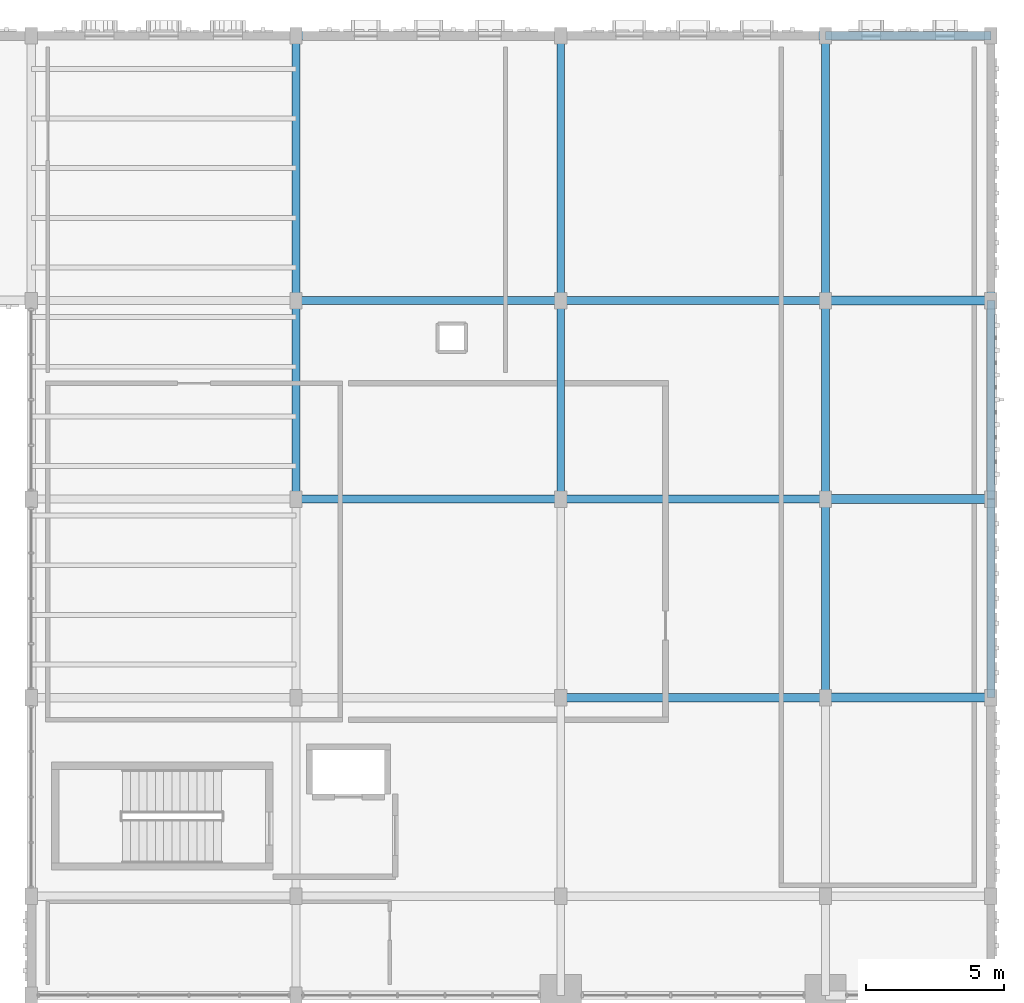
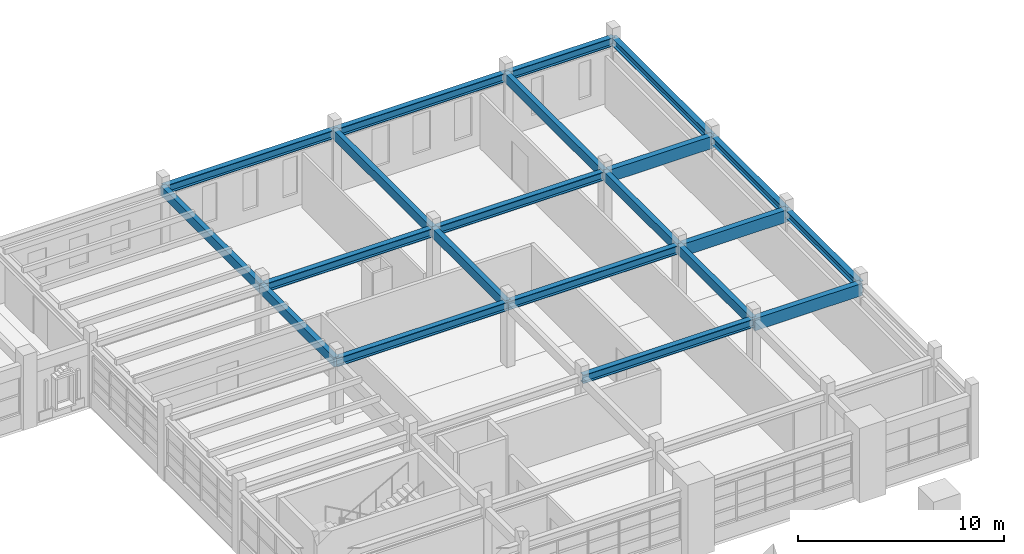
# One storey, part 31 of 69: 21 beams.
"""IFC4 building model written with IfcOpenShell, lengths in metres."""

from ifc_helpers import new_model, si_unit, direction, frame, origin, origin_2d, place, context, subcontext, project, spatial, rectangle, i_section, extrude, material, material_profile, profile_set, type_object, element, save


model = new_model("IFC4")

# Units and contexts
model_context = context("Model", 3, precision=1e-05, world=origin(), true_north=direction((0.0, 1.0)))
body_context = subcontext(model_context, "Body", "Model", "MODEL_VIEW")
ifc_project = project(units=[si_unit("LENGTHUNIT", "METRE"), si_unit("AREAUNIT", "SQUARE_METRE"), si_unit("VOLUMEUNIT", "CUBIC_METRE"), si_unit("PLANEANGLEUNIT", "RADIAN"), si_unit("MASSUNIT", "GRAM", prefix="KILO")], contexts=[model_context])

# Site, building, storey
site_placement = place(None, origin())
site = spatial("IfcSite", under=ifc_project, at=site_placement, CompositionType="ELEMENT")
building_placement = place(site_placement, origin())
building = spatial("IfcBuilding", under=site, at=building_placement, Name="Nzembalo Square Collegiate School", CompositionType="ELEMENT")
storey_placement = place(building_placement, frame((0.0, 0.0, 5.10009765625)))
storey = spatial("IfcBuildingStorey", under=building, at=storey_placement, Name="L01", CompositionType="ELEMENT", Elevation=5.10009765625)

# Beams
ifc_material_1 = material(Name="Glulam GL32h", Category="wood")
ifc_material_profile_1 = material_profile(ifc_material_1, rectangle(XDim=0.320068359375, YDim=0.719970703125, at=origin_2d()), Name="GL32h 320x720")
ifc_profile_set_1 = profile_set([ifc_material_profile_1], Name="Glulam GL32h")
beam_type_1 = type_object("IfcBeamType", Name="B03", PredefinedType="BEAM", material=ifc_profile_set_1)
for number, where, z_axis, x_axis, name in (
    (1, (159.60009765625, 90.0, 3.389892578125), (1.0, 0.0, 0.0), (0.0, 1.0, 0.0), "Beam B03 L01"),
    (2, (159.60009765625, 97.199951171875, 3.389892578125), (1.0, 0.0, 0.0), (0.0, 1.0, 0.0), "Beam B03 L01"),
    (3, (159.60009765625, 104.39990234375, 3.389892578125), (1.0, 0.0, 0.0), (0.0, 1.0, 0.0), "Beam B03 L01"),
):
    element("IfcBeam", number, at=place(storey_placement, frame(where, z_axis=z_axis, x_axis=x_axis)), inside=storey, type_object=beam_type_1, Name=name, PredefinedType="BEAM", context=body_context, shape_type="SweptSolid", body=[
        extrude(rectangle(XDim=0.320068359375, YDim=0.719970703125, at=origin_2d()), origin(), (0.0, 0.0, 1.0), 6.0),
    ])
ifc_material_2 = material(Name="Glulam GL28h", Category="wood")
ifc_material_profile_2 = material_profile(ifc_material_2, rectangle(XDim=0.280029296875, YDim=0.56005859375, at=origin_2d()), Name="GL28h 280x560")
ifc_profile_set_2 = profile_set([ifc_material_profile_2], Name="Glulam GL28h")
beam_type_2 = type_object("IfcBeamType", Name="B05", PredefinedType="BEAM", material=ifc_profile_set_2)
beam_1_placement = place(storey_placement, frame((140.39990234375, 97.199951171875, 3.469970703125), z_axis=(0.0, 1.0, 0.0), x_axis=(-1.0, 0.0, 0.0)))
element("IfcBeam", 4, at=beam_1_placement, inside=storey, type_object=beam_type_2, Name="Beam B05 L01", PredefinedType="BEAM", context=body_context, shape_type="SweptSolid", body=[
    extrude(rectangle(XDim=0.280029296875, YDim=0.56005859375, at=origin_2d()), origin(), (0.0, 0.0, 1.0), 7.199951171875),
])
beam_2_placement = place(storey_placement, frame((140.39990234375, 104.39990234375, 3.469970703125), z_axis=(0.0, 1.0, 0.0), x_axis=(-1.0, 0.0, 0.0)))
element("IfcBeam", 5, at=beam_2_placement, inside=storey, type_object=beam_type_2, Name="Beam B05 L01", PredefinedType="BEAM", context=body_context, shape_type="SweptSolid", body=[
    extrude(rectangle(XDim=0.280029296875, YDim=0.56005859375, at=origin_2d()), origin(), (0.0, 0.0, 1.0), 9.60009765625),
])
beam_3_placement = place(storey_placement, frame((150.0, 97.199951171875, 3.469970703125), z_axis=(0.0, 1.0, 0.0), x_axis=(-1.0, 0.0, 0.0)))
element("IfcBeam", 6, at=beam_3_placement, inside=storey, type_object=beam_type_2, Name="Beam B05 L01", PredefinedType="BEAM", context=body_context, shape_type="SweptSolid", body=[
    extrude(rectangle(XDim=0.280029296875, YDim=0.56005859375, at=origin_2d()), origin(), (0.0, 0.0, 1.0), 7.199951171875),
])
beam_4_placement = place(storey_placement, frame((150.0, 104.39990234375, 3.469970703125), z_axis=(0.0, 1.0, 0.0), x_axis=(-1.0, 0.0, 0.0)))
element("IfcBeam", 7, at=beam_4_placement, inside=storey, type_object=beam_type_2, Name="Beam B05 L01", PredefinedType="BEAM", context=body_context, shape_type="SweptSolid", body=[
    extrude(rectangle(XDim=0.280029296875, YDim=0.56005859375, at=origin_2d()), origin(), (0.0, 0.0, 1.0), 9.60009765625),
])
for number, where, z_axis, x_axis, name in (
    (8, (159.60009765625, 90.0, 3.469970703125), (0.0, 1.0, 0.0), (-1.0, 0.0, 0.0), "Beam B05 L01"),
    (9, (159.60009765625, 97.199951171875, 3.469970703125), (0.0, 1.0, 0.0), (-1.0, 0.0, 0.0), "Beam B05 L01"),
):
    element("IfcBeam", number, at=place(storey_placement, frame(where, z_axis=z_axis, x_axis=x_axis)), inside=storey, type_object=beam_type_2, Name=name, PredefinedType="BEAM", context=body_context, shape_type="SweptSolid", body=[
        extrude(rectangle(XDim=0.280029296875, YDim=0.56005859375, at=origin_2d()), origin(), (0.0, 0.0, 1.0), 7.199951171875),
    ])
beam_5_placement = place(storey_placement, frame((159.60009765625, 104.39990234375, 3.469970703125), z_axis=(0.0, 1.0, 0.0), x_axis=(-1.0, 0.0, 0.0)))
element("IfcBeam", 10, at=beam_5_placement, inside=storey, type_object=beam_type_2, Name="Beam B05 L01", PredefinedType="BEAM", context=body_context, shape_type="SweptSolid", body=[
    extrude(rectangle(XDim=0.280029296875, YDim=0.56005859375, at=origin_2d()), origin(), (0.0, 0.0, 1.0), 9.60009765625),
])
ifc_material_3 = material(Name="Steel S355", Category="steel")
ifc_material_profile_3 = material_profile(ifc_material_3, i_section(OverallWidth=0.300048828125, OverallDepth=0.5, WebThickness=0.014404296875, FlangeThickness=0.028076171875, at=origin_2d()), Name="HEB 500")
ifc_profile_set_3 = profile_set([ifc_material_profile_3], Name="Steel S355")
beam_type_3 = type_object("IfcBeamType", Name="B07", PredefinedType="BEAM", material=ifc_profile_set_3)
for number, where, z_axis, x_axis, name in (
    (11, (150.0, 90.0, 3.5), (1.0, 0.0, 0.0), (0.0, 1.0, 0.0), "Beam B07 L01"),
    (12, (140.39990234375, 97.199951171875, 3.5), (1.0, 0.0, 0.0), (0.0, 1.0, 0.0), "Beam B07 L01"),
    (13, (150.0, 97.199951171875, 3.5), (1.0, 0.0, 0.0), (0.0, 1.0, 0.0), "Beam B07 L01"),
    (14, (140.39990234375, 104.39990234375, 3.5), (1.0, 0.0, 0.0), (0.0, 1.0, 0.0), "Beam B07 L01"),
    (15, (150.0, 104.39990234375, 3.5), (1.0, 0.0, 0.0), (0.0, 1.0, 0.0), "Beam B07 L01"),
    (16, (140.39990234375, 114.0, 3.5), (1.0, 0.0, 0.0), (0.0, 1.0, 0.0), "Beam B07 L01"),
    (17, (150.0, 114.0, 3.5), (1.0, 0.0, 0.0), (0.0, 1.0, 0.0), "Beam B07 L01"),
):
    element("IfcBeam", number, at=place(storey_placement, frame(where, z_axis=z_axis, x_axis=x_axis)), inside=storey, type_object=beam_type_3, Name=name, PredefinedType="BEAM", context=body_context, shape_type="SweptSolid", body=[
        extrude(i_section(OverallWidth=0.300048828125, OverallDepth=0.5, WebThickness=0.014404296875, FlangeThickness=0.028076171875, at=origin_2d()), origin(), (0.0, 0.0, 1.0), 9.60009765625),
    ])
beam_6_placement = place(storey_placement, frame((159.60009765625, 114.0, 3.5), z_axis=(1.0, 0.0, 0.0), x_axis=(0.0, 1.0, 0.0)))
element("IfcBeam", 18, at=beam_6_placement, inside=storey, type_object=beam_type_3, Name="Beam B07 L01", PredefinedType="BEAM", context=body_context, shape_type="SweptSolid", body=[
    extrude(i_section(OverallWidth=0.300048828125, OverallDepth=0.5, WebThickness=0.014404296875, FlangeThickness=0.028076171875, at=origin_2d()), origin(), (0.0, 0.0, 1.0), 6.0),
])
ifc_material_4 = material(Name="Steel S355", Category="steel")
ifc_material_profile_4 = material_profile(ifc_material_4, i_section(OverallWidth=0.300048828125, OverallDepth=0.449951171875, WebThickness=0.013916015625, FlangeThickness=0.02587890625, at=origin_2d()), Name="HEB 450")
ifc_profile_set_4 = profile_set([ifc_material_profile_4], Name="Steel S355")
beam_type_4 = type_object("IfcBeamType", Name="B08", PredefinedType="BEAM", material=ifc_profile_set_4)
for number, where, z_axis, x_axis, name in (
    (19, (165.60009765625, 90.0, 3.52490234375), (0.0, 1.0, 0.0), (-1.0, 0.0, 0.0), "Beam B08 L01"),
    (20, (165.60009765625, 97.199951171875, 3.52490234375), (0.0, 1.0, 0.0), (-1.0, 0.0, 0.0), "Beam B08 L01"),
):
    element("IfcBeam", number, at=place(storey_placement, frame(where, z_axis=z_axis, x_axis=x_axis)), inside=storey, type_object=beam_type_4, Name=name, PredefinedType="BEAM", context=body_context, shape_type="SweptSolid", body=[
        extrude(i_section(OverallWidth=0.300048828125, OverallDepth=0.449951171875, WebThickness=0.013916015625, FlangeThickness=0.02587890625, at=origin_2d()), origin(), (0.0, 0.0, 1.0), 7.199951171875),
    ])
beam_7_placement = place(storey_placement, frame((165.60009765625, 104.39990234375, 3.52490234375), z_axis=(0.0, 1.0, 0.0), x_axis=(-1.0, 0.0, 0.0)))
element("IfcBeam", 21, at=beam_7_placement, inside=storey, type_object=beam_type_4, Name="Beam B08 L01", PredefinedType="BEAM", context=body_context, shape_type="SweptSolid", body=[
    extrude(i_section(OverallWidth=0.300048828125, OverallDepth=0.449951171875, WebThickness=0.013916015625, FlangeThickness=0.02587890625, at=origin_2d()), origin(), (0.0, 0.0, 1.0), 9.60009765625),
])

save(model, "model.ifc")
